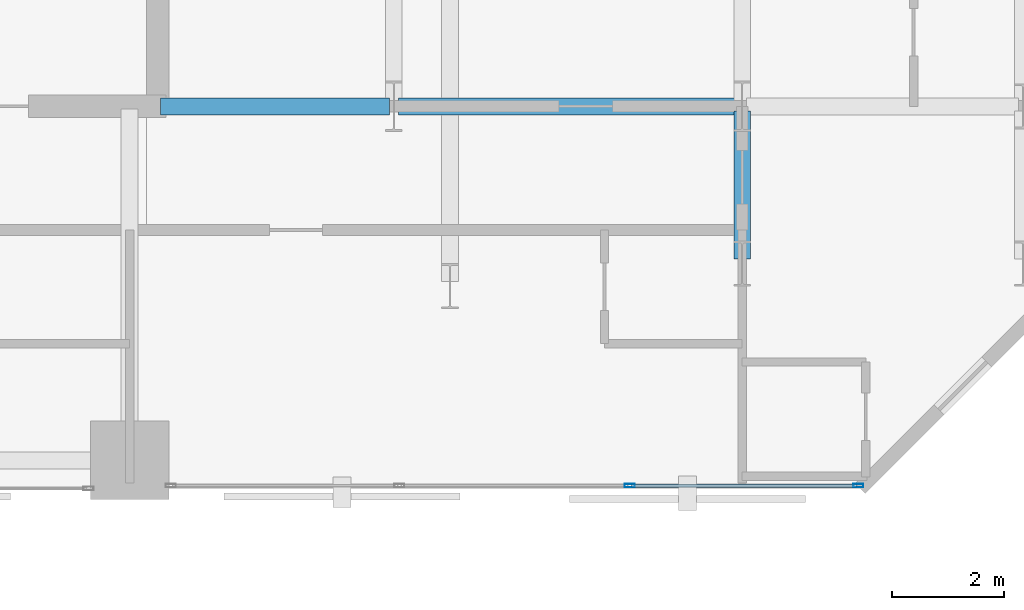
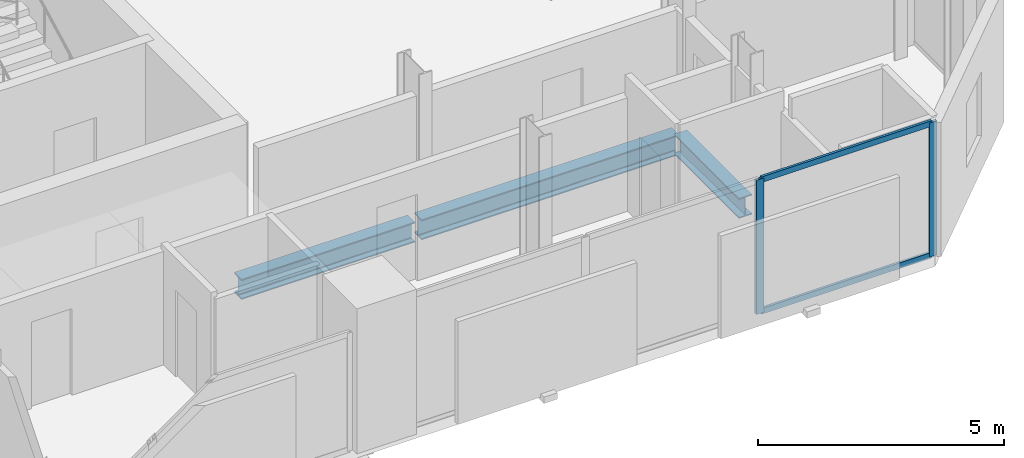
# One storey, part 16 of 33: 4 members, 3 beams, 1 element without a shape of its own.
"""IFC4 building model written with IfcOpenShell, lengths in metres."""

from ifc_helpers import new_model, si_unit, direction, frame, origin, origin_2d, place, context, subcontext, project, spatial, hollow_rectangle, i_section, extrude, material, layer, layer_set, material_profile, profile_set, type_object, element, aggregate, save


model = new_model("IFC4")

# Units and contexts
model_context = context("Model", 3, precision=1e-05, world=origin(), true_north=direction((0.0, 1.0)))
body_context = subcontext(model_context, "Body", "Model", "MODEL_VIEW")
ifc_project = project(units=[si_unit("LENGTHUNIT", "METRE"), si_unit("AREAUNIT", "SQUARE_METRE"), si_unit("VOLUMEUNIT", "CUBIC_METRE"), si_unit("PLANEANGLEUNIT", "RADIAN"), si_unit("MASSUNIT", "GRAM", prefix="KILO")], contexts=[model_context])

# Site, building, storey
site_placement = place(None, origin())
site = spatial("IfcSite", under=ifc_project, at=site_placement, CompositionType="ELEMENT")
building_placement = place(site_placement, origin())
building = spatial("IfcBuilding", under=site, at=building_placement, Name="Catumbela Crestline Tower", CompositionType="ELEMENT")
storey_placement = place(building_placement, frame((0.0, 0.0, 51.0)))
storey = spatial("IfcBuildingStorey", under=building, at=storey_placement, Name="L12", CompositionType="ELEMENT", Elevation=51.0)

# Beams
ifc_material_1 = material(Name="Structural steel S355J2", Category="steel")
ifc_material_profile_1 = material_profile(ifc_material_1, i_section(OverallWidth=0.3, OverallDepth=0.5, WebThickness=0.0145, FlangeThickness=0.028, FilletRadius=0.027, at=origin_2d()), Name="HEB 500")
ifc_profile_set_1 = profile_set([ifc_material_profile_1], Name="Structural steel S355J2")
beam_type = type_object("IfcBeamType", Name="BG-HEB500", PredefinedType="BEAM", material=ifc_profile_set_1)
beam_1_placement = place(storey_placement, frame((40.05, 30.8, -0.51), z_axis=(1.0, 0.0, 0.0), x_axis=(0.0, 1.0, 0.0)))
element("IfcBeam", 1, at=beam_1_placement, inside=storey, type_object=beam_type, Name="L12 Beam BM-L12-M10", PredefinedType="BEAM", context=body_context, shape_type="SweptSolid", body=[
    extrude(i_section(OverallWidth=0.3, OverallDepth=0.5, WebThickness=0.0145, FlangeThickness=0.028, FilletRadius=0.027, at=origin_2d()), origin(), (0.0, 0.0, 1.0), 4.07),
])
beam_2_placement = place(storey_placement, frame((44.28, 30.8, -0.51), z_axis=(1.0, 0.0, 0.0), x_axis=(0.0, 1.0, 0.0)))
element("IfcBeam", 2, at=beam_2_placement, inside=storey, type_object=beam_type, Name="L12 Beam BM-L12-M11", PredefinedType="BEAM", context=body_context, shape_type="SweptSolid", body=[
    extrude(i_section(OverallWidth=0.3, OverallDepth=0.5, WebThickness=0.0145, FlangeThickness=0.028, FilletRadius=0.027, at=origin_2d()), origin(), (0.0, 0.0, 1.0), 6.04),
])
beam_3_placement = place(storey_placement, frame((50.4, 28.08, -0.51), z_axis=(0.0, 1.0, 0.0), x_axis=(-1.0, 0.0, 0.0)))
element("IfcBeam", 3, at=beam_3_placement, inside=storey, type_object=beam_type, Name="L12 Beam BM-L12-SN37", PredefinedType="BEAM", context=body_context, shape_type="SweptSolid", body=[
    extrude(i_section(OverallWidth=0.3, OverallDepth=0.5, WebThickness=0.0145, FlangeThickness=0.028, FilletRadius=0.027, at=origin_2d()), origin(), (0.0, 0.0, 1.0), 2.64),
])

# Curtain wall, members
ifc_material_2 = material(Name="Aluminium alloy AW-6060-T66", Category="aluminium")
ifc_layer = layer(ifc_material_2, 0.18, Name="Aluminium alloy AW-6060-T66")
ifc_layer_set = layer_set([ifc_layer], Name="Aluminium alloy AW-6060-T66")
curtain_wall_type = type_object("IfcCurtainWallType", Name="CWU-Z1", PredefinedType="USERDEFINED", material=ifc_layer_set)
curtain_wall_placement = place(storey_placement, origin())
curtain_wall = element("IfcCurtainWall", 4, at=curtain_wall_placement, inside=storey, type_object=curtain_wall_type, Name="L12 Unitised Curtain Wall CW-L12-E3S2", ObjectType="UNITISED", PredefinedType="USERDEFINED")
ifc_material_profile_2 = material_profile(ifc_material_2, hollow_rectangle(XDim=0.065, YDim=0.18, WallThickness=0.004, at=origin_2d()), Name="ALU 180x65x4")
ifc_profile_set_2 = profile_set([ifc_material_profile_2], Name="Aluminium alloy AW-6060-T66")
member_type_1 = type_object("IfcMemberType", Name="MUL-180X65", PredefinedType="MULLION", material=ifc_profile_set_2)
member_1_placement = place(storey_placement, frame((48.4, 24.05, 0.0), z_axis=(0.0, 0.0, 1.0), x_axis=(0.0, 1.0, 0.0)))
member_1 = element("IfcMember", 5, at=member_1_placement, type_object=member_type_1, Name="CWU-Z1 mullion 3", PredefinedType="MULLION", context=body_context, shape_type="SweptSolid", body=[
    extrude(hollow_rectangle(XDim=0.065, YDim=0.18, WallThickness=0.004, at=origin_2d()), origin(), (0.0, 0.0, 1.0), 3.33),
])
member_2_placement = place(storey_placement, frame((52.4675, 24.05, 0.0), z_axis=(0.0, 0.0, 1.0), x_axis=(0.0, 1.0, 0.0)))
member_2 = element("IfcMember", 6, at=member_2_placement, type_object=member_type_1, Name="CWU-Z1 mullion 4", PredefinedType="MULLION", context=body_context, shape_type="SweptSolid", body=[
    extrude(hollow_rectangle(XDim=0.065, YDim=0.18, WallThickness=0.004, at=origin_2d()), origin(), (0.0, 0.0, 1.0), 3.33),
])
ifc_material_profile_3 = material_profile(ifc_material_2, hollow_rectangle(XDim=0.06, YDim=0.14, WallThickness=0.004, at=origin_2d()), Name="ALU 140x60x4")
ifc_profile_set_3 = profile_set([ifc_material_profile_3], Name="Aluminium alloy AW-6060-T66")
member_type_2 = type_object("IfcMemberType", Name="TRN-140X60", PredefinedType="USERDEFINED", material=ifc_profile_set_3)
member_3_placement = place(storey_placement, frame((48.4325, 24.05, 0.03), z_axis=(1.0, 0.0, 0.0), x_axis=(0.0, 1.0, 0.0)))
member_3 = element("IfcMember", 7, at=member_3_placement, type_object=member_type_2, Name="CWU-Z1 transom 3.1", ObjectType="TRANSOM", PredefinedType="USERDEFINED", context=body_context, shape_type="SweptSolid", body=[
    extrude(hollow_rectangle(XDim=0.06, YDim=0.14, WallThickness=0.004, at=origin_2d()), origin(), (0.0, 0.0, 1.0), 4.0025),
])
member_4_placement = place(storey_placement, frame((48.4325, 24.05, 3.3), z_axis=(1.0, 0.0, 0.0), x_axis=(0.0, 1.0, 0.0)))
member_4 = element("IfcMember", 8, at=member_4_placement, type_object=member_type_2, Name="CWU-Z1 transom 3.2", ObjectType="TRANSOM", PredefinedType="USERDEFINED", context=body_context, shape_type="SweptSolid", body=[
    extrude(hollow_rectangle(XDim=0.06, YDim=0.14, WallThickness=0.004, at=origin_2d()), origin(), (0.0, 0.0, 1.0), 4.0025),
])
aggregate(curtain_wall, [member_1, member_2, member_3, member_4])

save(model, "model.ifc")
